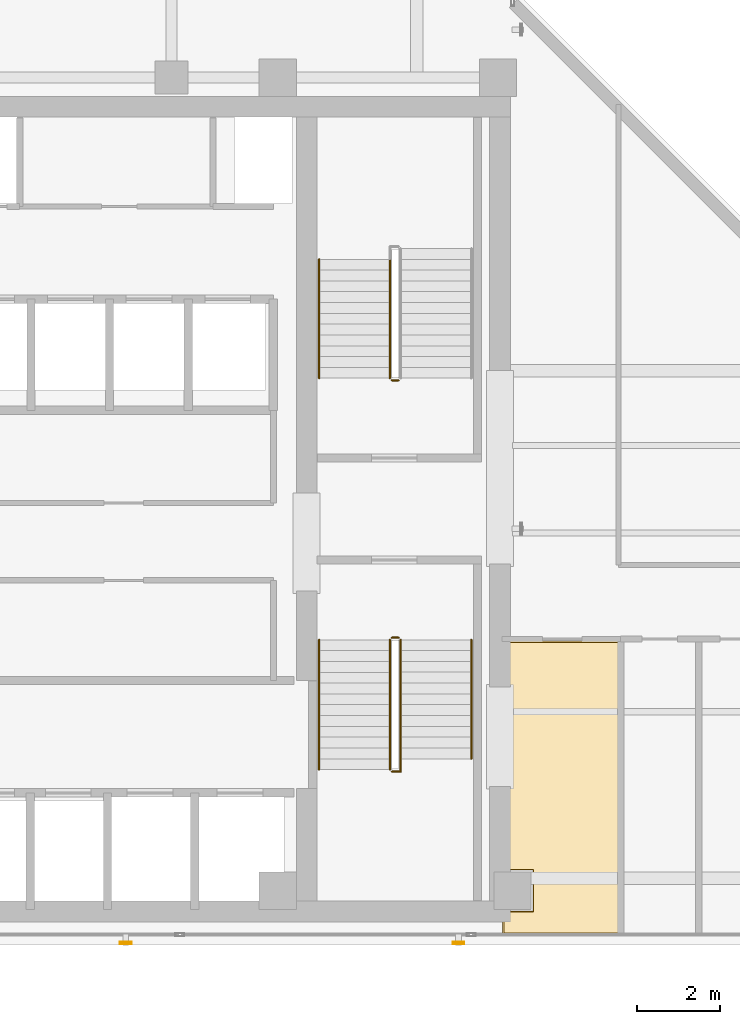
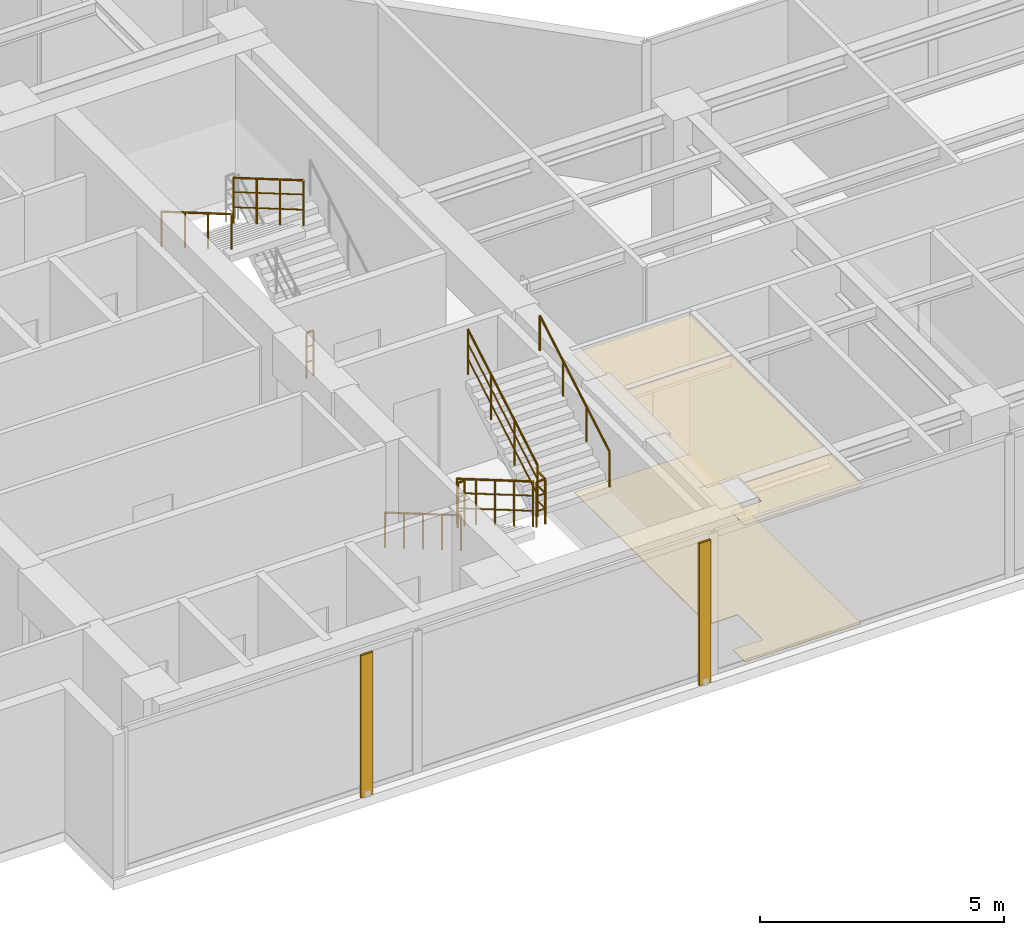
# One storey, part 20 of 22: 9 railings, 2 coverings, 2 shading devices.
"""IFC4 building model written with IfcOpenShell, lengths in metres."""

from ifc_helpers import new_model, si_unit, direction, frame, origin, origin_2d, place, context, subcontext, project, spatial, polyline, hollow_rectangle, circle, outline, extrude, material, layer, layer_set, material_profile, profile_set, type_object, element, save


model = new_model("IFC4")

# Units and contexts
model_context = context("Model", 3, precision=1e-05, world=origin(), true_north=direction((0.0, 1.0)))
body_context = subcontext(model_context, "Body", "Model", "MODEL_VIEW")
ifc_project = project(units=[si_unit("LENGTHUNIT", "METRE"), si_unit("AREAUNIT", "SQUARE_METRE"), si_unit("VOLUMEUNIT", "CUBIC_METRE"), si_unit("PLANEANGLEUNIT", "RADIAN"), si_unit("MASSUNIT", "GRAM", prefix="KILO")], contexts=[model_context])

# Site, building, storey
site_placement = place(None, origin())
site = spatial("IfcSite", under=ifc_project, at=site_placement, CompositionType="ELEMENT")
building_placement = place(site_placement, origin())
building = spatial("IfcBuilding", under=site, at=building_placement, Name="Kolvaren Waterfront Exchange", CompositionType="ELEMENT")
storey_placement = place(building_placement, frame((0.0, 0.0, 281.800048828125)))
storey = spatial("IfcBuildingStorey", under=building, at=storey_placement, Name="L72", CompositionType="ELEMENT", Elevation=281.800048828125)

# Covering
ifc_material_1 = material(Name="Mineral fibre acoustic ceiling tile")
ifc_layer_1 = layer(ifc_material_1, 0.02490234375, Name="Mineral fibre acoustic ceiling tile")
ifc_layer_set_1 = layer_set([ifc_layer_1], Name="Mineral fibre acoustic ceiling tile")
covering_type_1 = type_object("IfcCoveringType", Name="ARC-CEIL-ACOUSTIC-25", PredefinedType="CEILING", material=ifc_layer_set_1)
covering_1_placement = place(storey_placement, frame((0.0, 0.0, 3.445068359375)))
element("IfcCovering", 1, at=covering_1_placement, inside=storey, type_object=covering_type_1, Name="L72 acoustic suspended ceiling 2", PredefinedType="CEILING", context=body_context, shape_type="SweptSolid", body=[
    extrude(outline(polyline([(20.864990234375, 5.389892578125), (21.590087890625, 5.389892578125), (21.590087890625, 4.409912109375), (20.864990234375, 4.409912109375), (20.864990234375, 3.844970703125), (23.675048828125, 3.844970703125), (23.675048828125, 10.905029296875), (20.864990234375, 10.905029296875), (20.864990234375, 5.389892578125)])), origin(), (0.0, 0.0, 1.0), 0.02490234375),
])

# Shading devices
ifc_material_2 = material(Name="Anodised bronze aluminium 6063-T6", Category="aluminium")
ifc_material_profile = material_profile(ifc_material_2, hollow_rectangle(XDim=0.054931640625, YDim=0.280029296875, WallThickness=0.00439453125, at=origin_2d()), Name="BRZ-FIN-280x55x4.5")
ifc_profile_set = profile_set([ifc_material_profile], Name="Anodised bronze aluminium 6063-T6")
shading_device_type = type_object("IfcShadingDeviceType", Name="ARC-FIN-280", PredefinedType="USERDEFINED", material=ifc_profile_set)
for number, where, z_axis, x_axis, name in (
    (2, (11.800048828125, 3.639892578125, 0.0), (0.0, 0.0, 1.0), (0.0, -1.0, 0.0), "L72 anodised bronze solar shading fin FIN-L72-S1"),
    (3, (19.800048828125, 3.639892578125, 0.0), (0.0, 0.0, 1.0), (0.0, -1.0, 0.0), "L72 anodised bronze solar shading fin FIN-L72-S2"),
):
    element("IfcShadingDevice", number, at=place(storey_placement, frame(where, z_axis=z_axis, x_axis=x_axis)), inside=storey, type_object=shading_device_type, Name=name, ObjectType="SOLAR FIN", PredefinedType="USERDEFINED", context=body_context, shape_type="SweptSolid", body=[
        extrude(hollow_rectangle(XDim=0.054931640625, YDim=0.280029296875, WallThickness=0.00439453125, at=origin_2d()), origin(), (0.0, 0.0, 1.0), 3.56005859375),
    ])

# Covering
ifc_material_3 = material(Name="Slip-resistant porcelain tile")
ifc_layer_2 = layer(ifc_material_3, 0.014892578125, Name="Slip-resistant porcelain tile")
ifc_layer_set_2 = layer_set([ifc_layer_2], Name="Slip-resistant porcelain tile")
covering_type_2 = type_object("IfcCoveringType", Name="ARC-FLR-PORC-15", PredefinedType="FLOORING", material=ifc_layer_set_2)
covering_2_placement = place(storey_placement, origin())
element("IfcCovering", 4, at=covering_2_placement, inside=storey, type_object=covering_type_2, Name="L72 floor finish 2", PredefinedType="FLOORING", context=body_context, shape_type="SweptSolid", body=[
    extrude(outline(polyline([(20.89990234375, 4.389892578125), (20.89990234375, 3.8798828125), (23.639892578125, 3.8798828125), (23.639892578125, 10.8701171875), (20.89990234375, 10.8701171875), (20.89990234375, 5.409912109375), (21.610107421875, 5.409912109375), (21.610107421875, 4.389892578125), (20.89990234375, 4.389892578125)])), origin(), (0.0, 0.0, 1.0), 0.014892578125),
])

# Railings
ifc_material_4 = material(Name="Stainless steel 316", Category="steel")
railing_type_1 = type_object("IfcRailingType", Name="ARC-GUARD-STAIR", PredefinedType="GUARDRAIL", material=ifc_material_4)
railing_1_placement = place(storey_placement, frame((18.14990234375, 10.929931640625, 0.15185546875)))
element("IfcRailing", 5, at=railing_1_placement, inside=storey, type_object=railing_type_1, Name="L72 ST1 stair guard 1", PredefinedType="GUARDRAIL", context=body_context, shape_type="SweptSolid", body=[
    extrude(circle(Radius=0.02392578125, at=origin_2d()), frame((0.0, 0.0, 1.1259765625), z_axis=(0.0, -0.86329090724, 0.504706656858), x_axis=(1.0, 0.0, 0.0)), (0.0, 0.0, 1.0), 3.614013671875),
    extrude(circle(Radius=0.01611328125, at=origin_2d()), frame((0.0, 0.0, 0.390869140625), z_axis=(0.0, -0.86329090724, 0.504706656858), x_axis=(1.0, 0.0, 0.0)), (0.0, 0.0, 1.0), 3.614013671875),
    extrude(circle(Radius=0.01611328125, at=origin_2d()), frame((0.0, 0.0, 0.7705078125), z_axis=(0.0, -0.86329090724, 0.504706656858), x_axis=(1.0, 0.0, 0.0)), (0.0, 0.0, 1.0), 3.614013671875),
    extrude(circle(Radius=0.02099609375, at=origin_2d()), origin(), (0.0, 0.0, 1.0), 1.101806640625),
    extrude(circle(Radius=0.02099609375, at=origin_2d()), frame((0.0, -0.780029296875, 0.4560546875)), (0.0, 0.0, 1.0), 1.101806640625),
    extrude(circle(Radius=0.02099609375, at=origin_2d()), frame((0.0, -1.56005859375, 0.912109375)), (0.0, 0.0, 1.0), 1.101806640625),
    extrude(circle(Radius=0.02099609375, at=origin_2d()), frame((0.0, -2.33984375, 1.367919921875)), (0.0, 0.0, 1.0), 1.101806640625),
    extrude(circle(Radius=0.02099609375, at=origin_2d()), frame((0.0, -3.119873046875, 1.823974609375)), (0.0, 0.0, 1.0), 1.101806640625),
])
railing_2_placement = place(storey_placement, frame((18.199951171875, 7.760009765625, 1.975830078125)))
element("IfcRailing", 6, at=railing_2_placement, inside=storey, type_object=railing_type_1, Name="L72 ST1 stair guard 2", PredefinedType="GUARDRAIL", context=body_context, shape_type="SweptSolid", body=[
    extrude(circle(Radius=0.02392578125, at=origin_2d()), frame((0.0, 0.0, 1.1259765625), z_axis=(1.0, 0.0, 0.0), x_axis=(0.0, 1.0, 0.0)), (0.0, 0.0, 1.0), 0.2099609375),
    extrude(circle(Radius=0.01611328125, at=origin_2d()), frame((0.0, 0.0, 0.390869140625), z_axis=(1.0, 0.0, 0.0), x_axis=(0.0, 1.0, 0.0)), (0.0, 0.0, 1.0), 0.2099609375),
    extrude(circle(Radius=0.01611328125, at=origin_2d()), frame((0.0, 0.0, 0.7705078125), z_axis=(1.0, 0.0, 0.0), x_axis=(0.0, 1.0, 0.0)), (0.0, 0.0, 1.0), 0.2099609375),
    extrude(circle(Radius=0.02392578125, at=origin_2d()), frame((0.2099609375, 0.0, 1.1259765625), z_axis=(0.0, 1.0, 0.0), x_axis=(-1.0, 0.0, 0.0)), (0.0, 0.0, 1.0), 0.31005859375),
    extrude(circle(Radius=0.01611328125, at=origin_2d()), frame((0.2099609375, 0.0, 0.390869140625), z_axis=(0.0, 1.0, 0.0), x_axis=(-1.0, 0.0, 0.0)), (0.0, 0.0, 1.0), 0.31005859375),
    extrude(circle(Radius=0.01611328125, at=origin_2d()), frame((0.2099609375, 0.0, 0.7705078125), z_axis=(0.0, 1.0, 0.0), x_axis=(-1.0, 0.0, 0.0)), (0.0, 0.0, 1.0), 0.31005859375),
    extrude(circle(Radius=0.02099609375, at=origin_2d()), origin(), (0.0, 0.0, 1.0), 1.101806640625),
    extrude(circle(Radius=0.02099609375, at=origin_2d()), frame((0.2099609375, 0.0, 0.0)), (0.0, 0.0, 1.0), 1.101806640625),
    extrude(circle(Radius=0.02099609375, at=origin_2d()), frame((0.2099609375, 0.31005859375, 0.0)), (0.0, 0.0, 1.0), 1.101806640625),
])
railing_3_placement = place(storey_placement, frame((18.409912109375, 8.070068359375, 2.1279296875)))
element("IfcRailing", 7, at=railing_3_placement, inside=storey, type_object=railing_type_1, Name="L72 ST1 stair guard 3", PredefinedType="GUARDRAIL", context=body_context, shape_type="SweptSolid", body=[
    extrude(circle(Radius=0.02392578125, at=origin_2d()), frame((0.0, 0.0, 1.1259765625), z_axis=(0.0, 0.863270611444, 0.50474137082), x_axis=(-1.0, 0.0, 0.0)), (0.0, 0.0, 1.0), 3.312744140625),
    extrude(circle(Radius=0.01611328125, at=origin_2d()), frame((0.0, 0.0, 0.390869140625), z_axis=(0.0, 0.863270611444, 0.50474137082), x_axis=(-1.0, 0.0, 0.0)), (0.0, 0.0, 1.0), 3.312744140625),
    extrude(circle(Radius=0.01611328125, at=origin_2d()), frame((0.0, 0.0, 0.7705078125), z_axis=(0.0, 0.863270611444, 0.50474137082), x_axis=(-1.0, 0.0, 0.0)), (0.0, 0.0, 1.0), 3.312744140625),
    extrude(circle(Radius=0.02099609375, at=origin_2d()), origin(), (0.0, 0.0, 1.0), 1.101806640625),
    extrude(circle(Radius=0.02099609375, at=origin_2d()), frame((0.0, 0.953369140625, 0.557373046875)), (0.0, 0.0, 1.0), 1.101806640625),
    extrude(circle(Radius=0.02099609375, at=origin_2d()), frame((0.0, 1.906494140625, 1.11474609375)), (0.0, 0.0, 1.0), 1.101806640625),
    extrude(circle(Radius=0.02099609375, at=origin_2d()), frame((0.0, 2.85986328125, 1.672119140625)), (0.0, 0.0, 1.0), 1.101806640625),
])
railing_4_placement = place(storey_placement, frame((18.199951171875, 10.97998046875, 0.0)))
element("IfcRailing", 8, at=railing_4_placement, inside=storey, type_object=railing_type_1, Name="L72 ST1 stair guard 4", PredefinedType="GUARDRAIL", context=body_context, shape_type="SweptSolid", body=[
    extrude(circle(Radius=0.02392578125, at=origin_2d()), frame((0.0, 0.0, 1.1259765625), z_axis=(1.0, 0.0, 0.0), x_axis=(0.0, 1.0, 0.0)), (0.0, 0.0, 1.0), 0.16015625),
    extrude(circle(Radius=0.01611328125, at=origin_2d()), frame((0.0, 0.0, 0.390869140625), z_axis=(1.0, 0.0, 0.0), x_axis=(0.0, 1.0, 0.0)), (0.0, 0.0, 1.0), 0.16015625),
    extrude(circle(Radius=0.01611328125, at=origin_2d()), frame((0.0, 0.0, 0.7705078125), z_axis=(1.0, 0.0, 0.0), x_axis=(0.0, 1.0, 0.0)), (0.0, 0.0, 1.0), 0.16015625),
    extrude(circle(Radius=0.02099609375, at=origin_2d()), origin(), (0.0, 0.0, 1.0), 1.101806640625),
    extrude(circle(Radius=0.02099609375, at=origin_2d()), frame((0.16015625, 0.0, 0.0)), (0.0, 0.0, 1.0), 1.101806640625),
])
railing_5_placement = place(storey_placement, frame((18.14990234375, 20.080078125, 2.1279296875)))
element("IfcRailing", 9, at=railing_5_placement, inside=storey, type_object=railing_type_1, Name="L72 ST2 stair guard 3", PredefinedType="GUARDRAIL", context=body_context, shape_type="SweptSolid", body=[
    extrude(circle(Radius=0.02392578125, at=origin_2d()), frame((0.0, 0.0, 1.1259765625), z_axis=(0.0, -0.863289384635, 0.504709261235), x_axis=(1.0, 0.0, 0.0)), (0.0, 0.0, 1.0), 3.31298828125),
    extrude(circle(Radius=0.01611328125, at=origin_2d()), frame((0.0, 0.0, 0.390869140625), z_axis=(0.0, -0.863289384635, 0.504709261235), x_axis=(1.0, 0.0, 0.0)), (0.0, 0.0, 1.0), 3.31298828125),
    extrude(circle(Radius=0.01611328125, at=origin_2d()), frame((0.0, 0.0, 0.7705078125), z_axis=(0.0, -0.863289384635, 0.504709261235), x_axis=(1.0, 0.0, 0.0)), (0.0, 0.0, 1.0), 3.31298828125),
    extrude(circle(Radius=0.02099609375, at=origin_2d()), origin(), (0.0, 0.0, 1.0), 1.101806640625),
    extrude(circle(Radius=0.02099609375, at=origin_2d()), frame((0.0, -0.953369140625, 0.557373046875)), (0.0, 0.0, 1.0), 1.101806640625),
    extrude(circle(Radius=0.02099609375, at=origin_2d()), frame((0.0, -1.90673828125, 1.11474609375)), (0.0, 0.0, 1.0), 1.101806640625),
    extrude(circle(Radius=0.02099609375, at=origin_2d()), frame((0.0, -2.860107421875, 1.672119140625)), (0.0, 0.0, 1.0), 1.101806640625),
])
railing_6_placement = place(storey_placement, frame((18.360107421875, 17.169921875, 0.0)))
element("IfcRailing", 10, at=railing_6_placement, inside=storey, type_object=railing_type_1, Name="L72 ST2 stair guard 4", PredefinedType="GUARDRAIL", context=body_context, shape_type="SweptSolid", body=[
    extrude(circle(Radius=0.02392578125, at=origin_2d()), frame((0.0, 0.0, 1.1259765625), z_axis=(-1.0, 0.0, 0.0), x_axis=(0.0, -1.0, 0.0)), (0.0, 0.0, 1.0), 0.16015625),
    extrude(circle(Radius=0.01611328125, at=origin_2d()), frame((0.0, 0.0, 0.390869140625), z_axis=(-1.0, 0.0, 0.0), x_axis=(0.0, -1.0, 0.0)), (0.0, 0.0, 1.0), 0.16015625),
    extrude(circle(Radius=0.01611328125, at=origin_2d()), frame((0.0, 0.0, 0.7705078125), z_axis=(-1.0, 0.0, 0.0), x_axis=(0.0, -1.0, 0.0)), (0.0, 0.0, 1.0), 0.16015625),
    extrude(circle(Radius=0.02099609375, at=origin_2d()), origin(), (0.0, 0.0, 1.0), 1.101806640625),
    extrude(circle(Radius=0.02099609375, at=origin_2d()), frame((-0.16015625, 0.0, 0.0)), (0.0, 0.0, 1.0), 1.101806640625),
])
railing_type_2 = type_object("IfcRailingType", Name="ARC-HANDRAIL-900", PredefinedType="HANDRAIL", material=ifc_material_4)
railing_7_placement = place(storey_placement, frame((16.449951171875, 10.929931640625, 0.15185546875)))
element("IfcRailing", 11, at=railing_7_placement, inside=storey, type_object=railing_type_2, Name="L72 ST1 stair handrail 1", PredefinedType="HANDRAIL", context=body_context, shape_type="SweptSolid", body=[
    extrude(circle(Radius=0.02392578125, at=origin_2d()), frame((0.0, 0.0, 0.8759765625), z_axis=(0.0, -0.86329090724, 0.504706656858), x_axis=(1.0, 0.0, 0.0)), (0.0, 0.0, 1.0), 3.614013671875),
    extrude(circle(Radius=0.02099609375, at=origin_2d()), origin(), (0.0, 0.0, 1.0), 0.851806640625),
    extrude(circle(Radius=0.02099609375, at=origin_2d()), frame((0.0, -0.780029296875, 0.4560546875)), (0.0, 0.0, 1.0), 0.851806640625),
    extrude(circle(Radius=0.02099609375, at=origin_2d()), frame((0.0, -1.56005859375, 0.912109375)), (0.0, 0.0, 1.0), 0.851806640625),
    extrude(circle(Radius=0.02099609375, at=origin_2d()), frame((0.0, -2.33984375, 1.367919921875)), (0.0, 0.0, 1.0), 0.851806640625),
    extrude(circle(Radius=0.02099609375, at=origin_2d()), frame((0.0, -3.119873046875, 1.823974609375)), (0.0, 0.0, 1.0), 0.851806640625),
])
railing_8_placement = place(storey_placement, frame((20.110107421875, 8.070068359375, 2.1279296875)))
element("IfcRailing", 12, at=railing_8_placement, inside=storey, type_object=railing_type_2, Name="L72 ST1 stair handrail 2", PredefinedType="HANDRAIL", context=body_context, shape_type="SweptSolid", body=[
    extrude(circle(Radius=0.02392578125, at=origin_2d()), frame((0.0, 0.0, 0.8759765625), z_axis=(0.0, 0.863270611444, 0.50474137082), x_axis=(-1.0, 0.0, 0.0)), (0.0, 0.0, 1.0), 3.312744140625),
    extrude(circle(Radius=0.02099609375, at=origin_2d()), origin(), (0.0, 0.0, 1.0), 0.851806640625),
    extrude(circle(Radius=0.02099609375, at=origin_2d()), frame((0.0, 0.953369140625, 0.557373046875)), (0.0, 0.0, 1.0), 0.851806640625),
    extrude(circle(Radius=0.02099609375, at=origin_2d()), frame((0.0, 1.906494140625, 1.11474609375)), (0.0, 0.0, 1.0), 0.851806640625),
    extrude(circle(Radius=0.02099609375, at=origin_2d()), frame((0.0, 2.85986328125, 1.672119140625)), (0.0, 0.0, 1.0), 0.851806640625),
])
railing_9_placement = place(storey_placement, frame((16.449951171875, 20.080078125, 2.1279296875)))
element("IfcRailing", 13, at=railing_9_placement, inside=storey, type_object=railing_type_2, Name="L72 ST2 stair handrail 2", PredefinedType="HANDRAIL", context=body_context, shape_type="SweptSolid", body=[
    extrude(circle(Radius=0.02392578125, at=origin_2d()), frame((0.0, 0.0, 0.8759765625), z_axis=(0.0, -0.863289384635, 0.504709261235), x_axis=(1.0, 0.0, 0.0)), (0.0, 0.0, 1.0), 3.31298828125),
    extrude(circle(Radius=0.02099609375, at=origin_2d()), origin(), (0.0, 0.0, 1.0), 0.851806640625),
    extrude(circle(Radius=0.02099609375, at=origin_2d()), frame((0.0, -0.953369140625, 0.557373046875)), (0.0, 0.0, 1.0), 0.851806640625),
    extrude(circle(Radius=0.02099609375, at=origin_2d()), frame((0.0, -1.90673828125, 1.11474609375)), (0.0, 0.0, 1.0), 0.851806640625),
    extrude(circle(Radius=0.02099609375, at=origin_2d()), frame((0.0, -2.860107421875, 1.672119140625)), (0.0, 0.0, 1.0), 0.851806640625),
])

save(model, "model.ifc")
